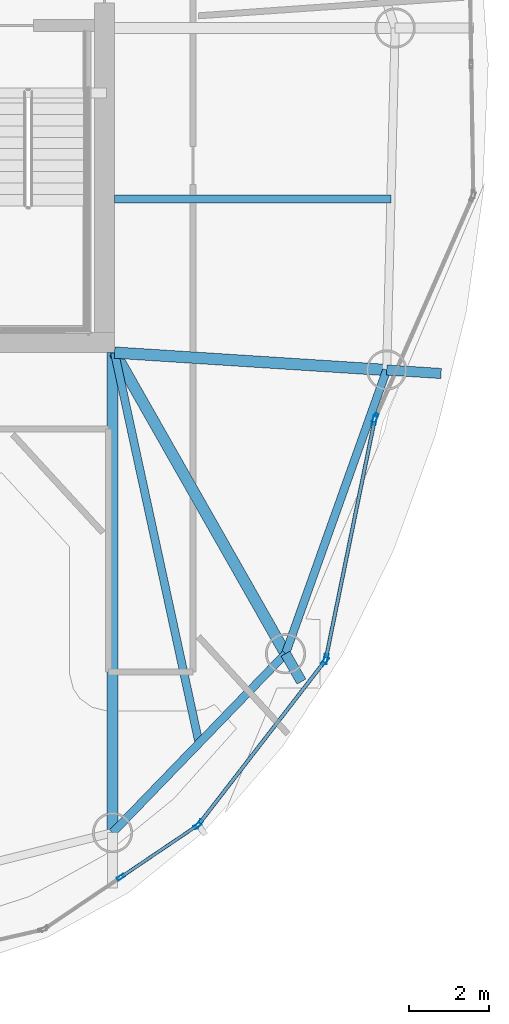
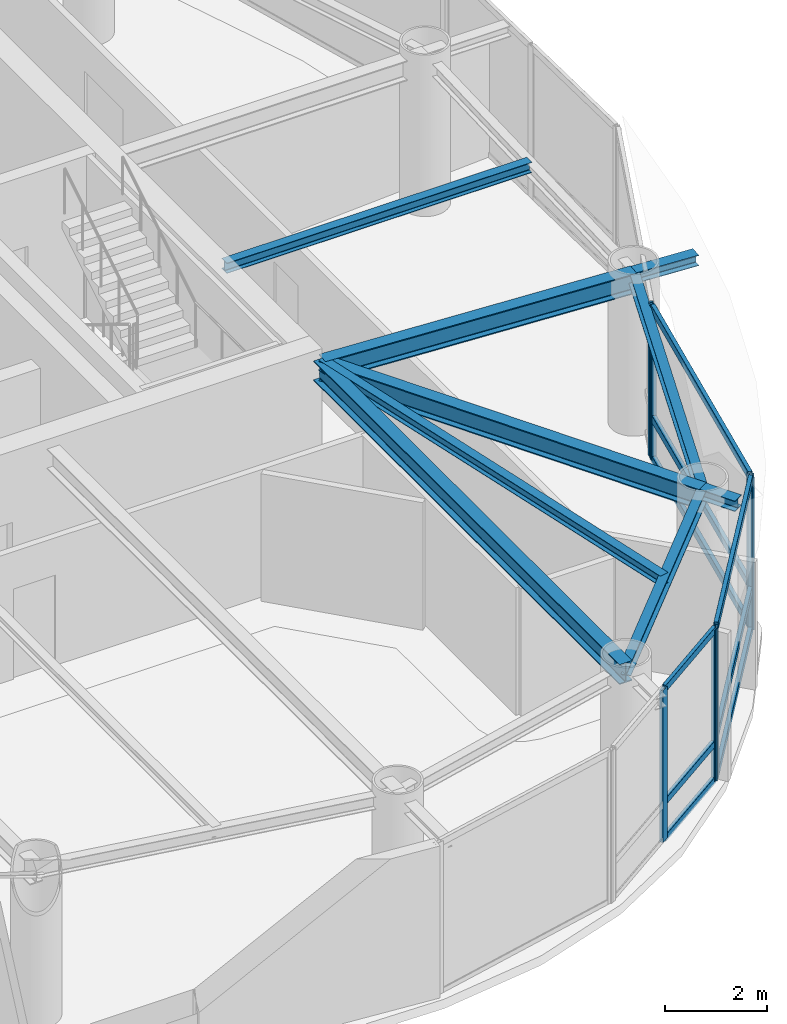
# One storey, part 7 of 19: 16 members, 9 beams, 4 elements without a shape of their own.
"""IFC4 building model written with IfcOpenShell, lengths in metres."""

from ifc_helpers import new_model, si_unit, direction, frame, origin, origin_2d, place, context, subcontext, project, spatial, hollow_rectangle, i_section, extrude, material, layer, layer_set, material_profile, profile_set, type_object, element, aggregate, save


model = new_model("IFC4")

# Units and contexts
model_context = context("Model", 3, precision=1e-05, world=origin(), true_north=direction((0.0, 1.0)))
body_context = subcontext(model_context, "Body", "Model", "MODEL_VIEW")
ifc_project = project(units=[si_unit("LENGTHUNIT", "METRE"), si_unit("AREAUNIT", "SQUARE_METRE"), si_unit("VOLUMEUNIT", "CUBIC_METRE"), si_unit("PLANEANGLEUNIT", "RADIAN"), si_unit("MASSUNIT", "GRAM", prefix="KILO")], contexts=[model_context])

# Site, building, storey
site_placement = place(None, origin())
site = spatial("IfcSite", under=ifc_project, at=site_placement, CompositionType="ELEMENT")
building_placement = place(site_placement, origin())
building = spatial("IfcBuilding", under=site, at=building_placement, Name="Bramvorn Convention Spire", CompositionType="ELEMENT")
storey_placement = place(building_placement, frame((0.0, 0.0, 299.800048828125)))
storey = spatial("IfcBuildingStorey", under=building, at=storey_placement, Name="L76", CompositionType="ELEMENT", Elevation=299.800048828125)

# Beams
ifc_material_1 = material(Name="Steel CSA G40.21 Grade 350 (350W)", Category="steel")
ifc_material_profile_1 = material_profile(ifc_material_1, i_section(OverallWidth=0.201904296875, OverallDepth=0.2470703125, WebThickness=0.00732421875, FlangeThickness=0.010986328125, FilletRadius=0.011962890625, at=origin_2d()))
ifc_profile_set_1 = profile_set([ifc_material_profile_1], Name="Steel CSA G40.21 Grade 350 (350W) - W250X49")
beam_type_1 = type_object("IfcBeamType", Name="BM-W250X49", PredefinedType="JOIST", material=ifc_profile_set_1)
beam_1_placement = place(storey_placement, frame((49.25, 18.550048828125, 3.50146484375), z_axis=(0.211461445939, -0.977386339623, 0.0), x_axis=(0.977386339623, 0.211461445939, 0.0)))
element("IfcBeam", 1, at=beam_1_placement, inside=storey, type_object=beam_type_1, Name="L76 composite floor joist 01", PredefinedType="JOIST", context=body_context, shape_type="SweptSolid", body=[
    extrude(i_section(OverallWidth=0.201904296875, OverallDepth=0.2470703125, WebThickness=0.00732421875, FlangeThickness=0.010986328125, FilletRadius=0.011962890625, at=origin_2d()), origin(), (0.0, 0.0, 1.0), 9.9462890625),
])
beam_2_placement = place(storey_placement, frame((49.25, 22.373046875, 3.50146484375), z_axis=(1.0, 0.0, 0.0), x_axis=(0.0, 1.0, 0.0)))
element("IfcBeam", 2, at=beam_2_placement, inside=storey, type_object=beam_type_1, Name="L76 composite floor joist 03", PredefinedType="JOIST", context=body_context, shape_type="SweptSolid", body=[
    extrude(i_section(OverallWidth=0.201904296875, OverallDepth=0.2470703125, WebThickness=0.00732421875, FlangeThickness=0.010986328125, FilletRadius=0.011962890625, at=origin_2d()), origin(), (0.0, 0.0, 1.0), 6.879150390625),
])
ifc_material_profile_2 = material_profile(ifc_material_1, i_section(OverallWidth=0.25390625, OverallDepth=0.2529296875, WebThickness=0.008544921875, FlangeThickness=0.01416015625, FilletRadius=0.011962890625, at=origin_2d()))
ifc_profile_set_2 = profile_set([ifc_material_profile_2], Name="Steel CSA G40.21 Grade 350 (350W) - W250X73")
beam_type_2 = type_object("IfcBeamType", Name="BM-W250X73", PredefinedType="BEAM", material=ifc_profile_set_2)
beam_3_placement = place(storey_placement, frame((53.50634765625, 11.05615234375, 3.49853515625), z_axis=(0.494067079829, -0.869423786556, 0.0), x_axis=(0.869423786556, 0.494067079829, 0.0)))
element("IfcBeam", 3, at=beam_3_placement, inside=storey, type_object=beam_type_2, Name="L76 slab-edge cantilever tip beam MC02", PredefinedType="BEAM", context=body_context, shape_type="SweptSolid", body=[
    extrude(i_section(OverallWidth=0.25390625, OverallDepth=0.2529296875, WebThickness=0.008544921875, FlangeThickness=0.01416015625, FilletRadius=0.011962890625, at=origin_2d()), origin(), (0.0, 0.0, 1.0), 0.800048828125),
])
beam_4_placement = place(storey_placement, frame((56.023681640625, 18.116455078125, 3.49853515625), z_axis=(0.997955423147, -0.06391379672, 0.0), x_axis=(0.06391379672, 0.997955423147, 0.0)))
element("IfcBeam", 4, at=beam_4_placement, inside=storey, type_object=beam_type_2, Name="L76 slab-edge cantilever tip beam MC03", PredefinedType="BEAM", context=body_context, shape_type="SweptSolid", body=[
    extrude(i_section(OverallWidth=0.25390625, OverallDepth=0.2529296875, WebThickness=0.008544921875, FlangeThickness=0.01416015625, FilletRadius=0.011962890625, at=origin_2d()), origin(), (0.0, 0.0, 1.0), 1.35595703125),
])
ifc_material_profile_3 = material_profile(ifc_material_1, i_section(OverallWidth=0.202880859375, OverallDepth=0.302978515625, WebThickness=0.007568359375, FlangeThickness=0.01318359375, FilletRadius=0.013916015625, at=origin_2d()))
ifc_profile_set_3 = profile_set([ifc_material_profile_3], Name="Steel CSA G40.21 Grade 350 (350W) - W310X60")
beam_type_3 = type_object("IfcBeamType", Name="BM-W310X60", PredefinedType="JOIST", material=ifc_profile_set_3)
beam_5_placement = place(storey_placement, frame((49.199951171875, 6.60107421875, 3.473388671875), z_axis=(0.695007159797, 0.719002814898, 0.0), x_axis=(-0.719002814898, 0.695007159797, 0.0)))
element("IfcBeam", 5, at=beam_5_placement, inside=storey, type_object=beam_type_3, Name="L76 mega-column ring beam 01", PredefinedType="JOIST", context=body_context, shape_type="SweptSolid", body=[
    extrude(i_section(OverallWidth=0.202880859375, OverallDepth=0.302978515625, WebThickness=0.007568359375, FlangeThickness=0.01318359375, FilletRadius=0.013916015625, at=origin_2d()), origin(), (0.0, 0.0, 1.0), 6.1962890625),
])
beam_6_placement = place(storey_placement, frame((53.50634765625, 11.05615234375, 3.473388671875), z_axis=(0.335839090413, 0.941919373063, 0.0), x_axis=(-0.941919373063, 0.335839090413, 0.0)))
element("IfcBeam", 6, at=beam_6_placement, inside=storey, type_object=beam_type_3, Name="L76 mega-column ring beam 02", PredefinedType="JOIST", context=body_context, shape_type="SweptSolid", body=[
    extrude(i_section(OverallWidth=0.202880859375, OverallDepth=0.302978515625, WebThickness=0.007568359375, FlangeThickness=0.01318359375, FilletRadius=0.013916015625, at=origin_2d()), origin(), (0.0, 0.0, 1.0), 7.49560546875),
])
ifc_material_profile_4 = material_profile(ifc_material_1, i_section(OverallWidth=0.283935546875, OverallDepth=0.47607421875, WebThickness=0.014892578125, FlangeThickness=0.02392578125, FilletRadius=0.01806640625, at=origin_2d()))
ifc_profile_set_4 = profile_set([ifc_material_profile_4], Name="Steel CSA G40.21 Grade 350 (350W) - W460X158")
beam_type_4 = type_object("IfcBeamType", Name="BM-W460X158", PredefinedType="SPANDREL", material=ifc_profile_set_4)
beam_7_placement = place(storey_placement, frame((49.199951171875, 18.550048828125, 3.386962890625), z_axis=(0.0, -1.0, 0.0), x_axis=(1.0, 0.0, 0.0)))
element("IfcBeam", 7, at=beam_7_placement, inside=storey, type_object=beam_type_4, Name="L76 radial floor girder MC01", PredefinedType="SPANDREL", context=body_context, shape_type="SweptSolid", body=[
    extrude(i_section(OverallWidth=0.283935546875, OverallDepth=0.47607421875, WebThickness=0.014892578125, FlangeThickness=0.02392578125, FilletRadius=0.01806640625, at=origin_2d()), origin(), (0.0, 0.0, 1.0), 11.948974609375),
])
beam_8_placement = place(storey_placement, frame((49.25, 18.550048828125, 3.386962890625), z_axis=(0.493873612118, -0.869533699895, 0.0), x_axis=(0.869533699895, 0.493873612118, 0.0)))
element("IfcBeam", 8, at=beam_8_placement, inside=storey, type_object=beam_type_4, Name="L76 radial floor girder MC02", PredefinedType="SPANDREL", context=body_context, shape_type="SweptSolid", body=[
    extrude(i_section(OverallWidth=0.283935546875, OverallDepth=0.47607421875, WebThickness=0.014892578125, FlangeThickness=0.02392578125, FilletRadius=0.01806640625, at=origin_2d()), origin(), (0.0, 0.0, 1.0), 8.618408203125),
])
beam_9_placement = place(storey_placement, frame((49.25, 18.550048828125, 3.386962890625), z_axis=(0.997957536354, -0.063880792379, 0.0), x_axis=(0.063880792379, 0.997957536354, 0.0)))
element("IfcBeam", 9, at=beam_9_placement, inside=storey, type_object=beam_type_4, Name="L76 radial floor girder MC03", PredefinedType="SPANDREL", context=body_context, shape_type="SweptSolid", body=[
    extrude(i_section(OverallWidth=0.283935546875, OverallDepth=0.47607421875, WebThickness=0.014892578125, FlangeThickness=0.02392578125, FilletRadius=0.01806640625, at=origin_2d()), origin(), (0.0, 0.0, 1.0), 6.78759765625),
])

# Curtain wall, members
ifc_material_2 = material(Name="Anodised Bronze Unitised Curtain Wall", Category="aluminium")
ifc_layer_1 = layer(ifc_material_2, 0.179931640625)
ifc_layer_set_1 = layer_set([ifc_layer_1], Name="Anodised Bronze Unitised Curtain Wall - CW-OFF-FRIT")
curtain_wall_type_1 = type_object("IfcCurtainWallType", Name="CW-OFF-FRIT", PredefinedType="USERDEFINED", material=ifc_layer_set_1)
curtain_wall_1_placement = place(storey_placement, origin())
curtain_wall_1 = element("IfcCurtainWall", 10, at=curtain_wall_1_placement, inside=storey, type_object=curtain_wall_type_1, Name="L76 fritted glass curtain wall 01", ObjectType="UNITISED CURTAIN WALL", PredefinedType="USERDEFINED")
ifc_material_3 = material(Name="Anodised Bronze Aluminium 6063-T6", Category="aluminium")
ifc_material_profile_5 = material_profile(ifc_material_3, hollow_rectangle(XDim=0.080078125, YDim=0.199951171875, WallThickness=0.00390625, InnerFilletRadius=0.0009765625, OuterFilletRadius=0.00390625, at=origin_2d()))
ifc_profile_set_5 = profile_set([ifc_material_profile_5], Name="Anodised Bronze Aluminium 6063-T6 - CWM80X200")
member_type_1 = type_object("IfcMemberType", Name="CW-MUL-180", PredefinedType="MULLION", material=ifc_profile_set_5)
member_1_placement = place(storey_placement, frame((51.310791015625, 6.779296875, 0.0), z_axis=(0.0, 0.0, 1.0), x_axis=(0.559864992179, -0.828583846411, 0.0)))
member_1 = element("IfcMember", 11, at=member_1_placement, type_object=member_type_1, Name="CW3 mullion 1", PredefinedType="MULLION", context=body_context, shape_type="SweptSolid", body=[
    extrude(hollow_rectangle(XDim=0.080078125, YDim=0.199951171875, WallThickness=0.00390625, InnerFilletRadius=0.0009765625, OuterFilletRadius=0.00390625, at=origin_2d()), origin(), (0.0, 0.0, 1.0), 3.625),
])
member_2_placement = place(storey_placement, frame((49.408935546875, 5.494140625, 0.0), z_axis=(0.0, 0.0, 1.0), x_axis=(0.559864992179, -0.828583846411, 0.0)))
member_2 = element("IfcMember", 12, at=member_2_placement, type_object=member_type_1, Name="CW3 mullion 2", PredefinedType="MULLION", context=body_context, shape_type="SweptSolid", body=[
    extrude(hollow_rectangle(XDim=0.080078125, YDim=0.199951171875, WallThickness=0.00390625, InnerFilletRadius=0.0009765625, OuterFilletRadius=0.00390625, at=origin_2d()), origin(), (0.0, 0.0, 1.0), 3.625),
])

ifc_layer_2 = layer(ifc_material_2, 0.219970703125)
ifc_layer_set_2 = layer_set([ifc_layer_2], Name="Anodised Bronze Unitised Curtain Wall - CW-SKYGARDEN")
curtain_wall_type_2 = type_object("IfcCurtainWallType", Name="CW-SKYGARDEN", PredefinedType="USERDEFINED", material=ifc_layer_set_2)
curtain_wall_2_placement = place(storey_placement, origin())
curtain_wall_2 = element("IfcCurtainWall", 13, at=curtain_wall_2_placement, inside=storey, type_object=curtain_wall_type_2, Name="L76 Sky Garden glazed facade 02", ObjectType="WINTER GARDEN GLAZING", PredefinedType="USERDEFINED")
ifc_material_profile_6 = material_profile(ifc_material_3, hollow_rectangle(XDim=0.090087890625, YDim=0.239990234375, WallThickness=0.00439453125, InnerFilletRadius=0.0009765625, OuterFilletRadius=0.00439453125, at=origin_2d()))
ifc_profile_set_6 = profile_set([ifc_material_profile_6], Name="Anodised Bronze Aluminium 6063-T6 - CWM90X240")
member_type_2 = type_object("IfcMemberType", Name="CW-MUL-220", PredefinedType="MULLION", material=ifc_profile_set_6)
member_3_placement = place(storey_placement, frame((54.484130859375, 10.870361328125, 0.0), z_axis=(0.0, 0.0, 1.0), x_axis=(0.791284152139, -0.611448600108, 0.0)))
member_3 = element("IfcMember", 14, at=member_3_placement, type_object=member_type_2, Name="CW4 mullion 1", PredefinedType="MULLION", context=body_context, shape_type="SweptSolid", body=[
    extrude(hollow_rectangle(XDim=0.090087890625, YDim=0.239990234375, WallThickness=0.00439453125, InnerFilletRadius=0.0009765625, OuterFilletRadius=0.00439453125, at=origin_2d()), origin(), (0.0, 0.0, 1.0), 3.625),
])
member_4_placement = place(storey_placement, frame((51.35400390625, 6.81982421875, 0.0), z_axis=(0.0, 0.0, 1.0), x_axis=(0.791284152139, -0.611448600108, 0.0)))
member_4 = element("IfcMember", 15, at=member_4_placement, type_object=member_type_2, Name="CW4 mullion 2", PredefinedType="MULLION", context=body_context, shape_type="SweptSolid", body=[
    extrude(hollow_rectangle(XDim=0.090087890625, YDim=0.239990234375, WallThickness=0.00439453125, InnerFilletRadius=0.0009765625, OuterFilletRadius=0.00439453125, at=origin_2d()), origin(), (0.0, 0.0, 1.0), 3.625),
])

curtain_wall_3_placement = place(storey_placement, origin())
curtain_wall_3 = element("IfcCurtainWall", 16, at=curtain_wall_3_placement, inside=storey, type_object=curtain_wall_type_2, Name="L76 Sky Garden glazed facade 03", ObjectType="WINTER GARDEN GLAZING", PredefinedType="USERDEFINED")
member_5_placement = place(storey_placement, frame((55.72216796875, 16.86572265625, 0.0), z_axis=(0.0, 0.0, 1.0), x_axis=(0.979774409816, -0.200105236988, 0.0)))
member_5 = element("IfcMember", 17, at=member_5_placement, type_object=member_type_2, Name="CW4 mullion 1", PredefinedType="MULLION", context=body_context, shape_type="SweptSolid", body=[
    extrude(hollow_rectangle(XDim=0.090087890625, YDim=0.239990234375, WallThickness=0.00439453125, InnerFilletRadius=0.0009765625, OuterFilletRadius=0.00439453125, at=origin_2d()), origin(), (0.0, 0.0, 1.0), 3.625),
])
member_6_placement = place(storey_placement, frame((54.508544921875, 10.923583984375, 0.0), z_axis=(0.0, 0.0, 1.0), x_axis=(0.979774409816, -0.200105236988, 0.0)))
member_6 = element("IfcMember", 18, at=member_6_placement, type_object=member_type_2, Name="CW4 mullion 2", PredefinedType="MULLION", context=body_context, shape_type="SweptSolid", body=[
    extrude(hollow_rectangle(XDim=0.090087890625, YDim=0.239990234375, WallThickness=0.00439453125, InnerFilletRadius=0.0009765625, OuterFilletRadius=0.00439453125, at=origin_2d()), origin(), (0.0, 0.0, 1.0), 3.625),
])

# Curtain wall, member
curtain_wall_4_placement = place(storey_placement, origin())
curtain_wall_4 = element("IfcCurtainWall", 19, at=curtain_wall_4_placement, inside=storey, type_object=curtain_wall_type_2, Name="L76 Sky Garden glazed facade 04", ObjectType="WINTER GARDEN GLAZING", PredefinedType="USERDEFINED")
member_7_placement = place(storey_placement, frame((55.740234375, 16.922607421875, 0.0), z_axis=(0.0, 0.0, 1.0), x_axis=(0.915268486998, -0.402844382744, 0.0)))
member_7 = element("IfcMember", 20, at=member_7_placement, type_object=member_type_2, Name="CW4 mullion 2", PredefinedType="MULLION", context=body_context, shape_type="SweptSolid", body=[
    extrude(hollow_rectangle(XDim=0.090087890625, YDim=0.239990234375, WallThickness=0.00439453125, InnerFilletRadius=0.0009765625, OuterFilletRadius=0.00439453125, at=origin_2d()), origin(), (0.0, 0.0, 1.0), 3.625),
])
aggregate(curtain_wall_4, [member_7])

# Member
ifc_material_profile_7 = material_profile(ifc_material_3, hollow_rectangle(XDim=0.080078125, YDim=0.159912109375, WallThickness=0.00390625, InnerFilletRadius=0.0009765625, OuterFilletRadius=0.00390625, at=origin_2d()))
ifc_profile_set_7 = profile_set([ifc_material_profile_7], Name="Anodised Bronze Aluminium 6063-T6 - CWT80X160")
member_type_3 = type_object("IfcMemberType", Name="CW-TRN-150", PredefinedType="USERDEFINED", material=ifc_profile_set_7)
member_8_placement = place(storey_placement, frame((51.285888671875, 6.762451171875, 0.030029296875), z_axis=(-0.82857253545, -0.559881731706, 0.0), x_axis=(0.559881731706, -0.82857253545, 0.0)))
member_8 = element("IfcMember", 21, at=member_8_placement, type_object=member_type_3, Name="CW3 transom 1.1", ObjectType="TRANSOM", PredefinedType="USERDEFINED", context=body_context, shape_type="SweptSolid", body=[
    extrude(hollow_rectangle(XDim=0.080078125, YDim=0.159912109375, WallThickness=0.00390625, InnerFilletRadius=0.0009765625, OuterFilletRadius=0.00390625, at=origin_2d()), origin(), (0.0, 0.0, 1.0), 2.2353515625),
])

member_9_placement = place(storey_placement, frame((51.285888671875, 6.762451171875, 0.89990234375), z_axis=(-0.82857253545, -0.559881731706, 0.0), x_axis=(0.559881731706, -0.82857253545, 0.0)))
member_9 = element("IfcMember", 22, at=member_9_placement, type_object=member_type_3, Name="CW3 transom 1.2", ObjectType="TRANSOM", PredefinedType="USERDEFINED", context=body_context, shape_type="SweptSolid", body=[
    extrude(hollow_rectangle(XDim=0.080078125, YDim=0.159912109375, WallThickness=0.00390625, InnerFilletRadius=0.0009765625, OuterFilletRadius=0.00390625, at=origin_2d()), origin(), (0.0, 0.0, 1.0), 2.2353515625),
])

member_10_placement = place(storey_placement, frame((51.285888671875, 6.762451171875, 3.594970703125), z_axis=(-0.82857253545, -0.559881731706, 0.0), x_axis=(0.559881731706, -0.82857253545, 0.0)))
member_10 = element("IfcMember", 23, at=member_10_placement, type_object=member_type_3, Name="CW3 transom 1.3", ObjectType="TRANSOM", PredefinedType="USERDEFINED", context=body_context, shape_type="SweptSolid", body=[
    extrude(hollow_rectangle(XDim=0.080078125, YDim=0.159912109375, WallThickness=0.00390625, InnerFilletRadius=0.0009765625, OuterFilletRadius=0.00390625, at=origin_2d()), origin(), (0.0, 0.0, 1.0), 2.2353515625),
])

aggregate(curtain_wall_1, [member_1, member_2, member_8, member_9, member_10])

ifc_material_profile_8 = material_profile(ifc_material_3, hollow_rectangle(XDim=0.090087890625, YDim=0.179931640625, WallThickness=0.00439453125, InnerFilletRadius=0.0009765625, OuterFilletRadius=0.00439453125, at=origin_2d()))
ifc_profile_set_8 = profile_set([ifc_material_profile_8], Name="Anodised Bronze Aluminium 6063-T6 - CWT90X180")
member_type_4 = type_object("IfcMemberType", Name="CW-TRN-180", PredefinedType="USERDEFINED", material=ifc_profile_set_8)
member_11_placement = place(storey_placement, frame((54.4658203125, 10.8466796875, 0.030029296875), z_axis=(-0.611465355412, -0.791271204538, 0.0), x_axis=(0.791271204538, -0.611465355412, 0.0)))
member_11 = element("IfcMember", 24, at=member_11_placement, type_object=member_type_4, Name="CW4 transom 1.1", ObjectType="TRANSOM", PredefinedType="USERDEFINED", context=body_context, shape_type="SweptSolid", body=[
    extrude(hollow_rectangle(XDim=0.090087890625, YDim=0.179931640625, WallThickness=0.00439453125, InnerFilletRadius=0.0009765625, OuterFilletRadius=0.00439453125, at=origin_2d()), origin(), (0.0, 0.0, 1.0), 5.05908203125),
])

member_12_placement = place(storey_placement, frame((54.4658203125, 10.8466796875, 1.0), z_axis=(-0.611465355412, -0.791271204538, 0.0), x_axis=(0.791271204538, -0.611465355412, 0.0)))
member_12 = element("IfcMember", 25, at=member_12_placement, type_object=member_type_4, Name="CW4 transom 1.2", ObjectType="TRANSOM", PredefinedType="USERDEFINED", context=body_context, shape_type="SweptSolid", body=[
    extrude(hollow_rectangle(XDim=0.090087890625, YDim=0.179931640625, WallThickness=0.00439453125, InnerFilletRadius=0.0009765625, OuterFilletRadius=0.00439453125, at=origin_2d()), origin(), (0.0, 0.0, 1.0), 5.05908203125),
])

member_13_placement = place(storey_placement, frame((54.4658203125, 10.8466796875, 3.594970703125), z_axis=(-0.611465355412, -0.791271204538, 0.0), x_axis=(0.791271204538, -0.611465355412, 0.0)))
member_13 = element("IfcMember", 26, at=member_13_placement, type_object=member_type_4, Name="CW4 transom 1.3", ObjectType="TRANSOM", PredefinedType="USERDEFINED", context=body_context, shape_type="SweptSolid", body=[
    extrude(hollow_rectangle(XDim=0.090087890625, YDim=0.179931640625, WallThickness=0.00439453125, InnerFilletRadius=0.0009765625, OuterFilletRadius=0.00439453125, at=origin_2d()), origin(), (0.0, 0.0, 1.0), 5.05908203125),
])

aggregate(curtain_wall_2, [member_3, member_4, member_11, member_12, member_13])

member_14_placement = place(storey_placement, frame((55.716064453125, 16.83642578125, 0.030029296875), z_axis=(-0.200109759684, -0.979773486108, 0.0), x_axis=(0.979773486108, -0.200109759684, 0.0)))
member_14 = element("IfcMember", 27, at=member_14_placement, type_object=member_type_4, Name="CW4 transom 1.1", ObjectType="TRANSOM", PredefinedType="USERDEFINED", context=body_context, shape_type="SweptSolid", body=[
    extrude(hollow_rectangle(XDim=0.090087890625, YDim=0.179931640625, WallThickness=0.00439453125, InnerFilletRadius=0.0009765625, OuterFilletRadius=0.00439453125, at=origin_2d()), origin(), (0.0, 0.0, 1.0), 6.005126953125),
])

member_15_placement = place(storey_placement, frame((55.716064453125, 16.83642578125, 1.0), z_axis=(-0.200109759684, -0.979773486108, 0.0), x_axis=(0.979773486108, -0.200109759684, 0.0)))
member_15 = element("IfcMember", 28, at=member_15_placement, type_object=member_type_4, Name="CW4 transom 1.2", ObjectType="TRANSOM", PredefinedType="USERDEFINED", context=body_context, shape_type="SweptSolid", body=[
    extrude(hollow_rectangle(XDim=0.090087890625, YDim=0.179931640625, WallThickness=0.00439453125, InnerFilletRadius=0.0009765625, OuterFilletRadius=0.00439453125, at=origin_2d()), origin(), (0.0, 0.0, 1.0), 6.005126953125),
])

member_16_placement = place(storey_placement, frame((55.716064453125, 16.83642578125, 3.594970703125), z_axis=(-0.200109759684, -0.979773486108, 0.0), x_axis=(0.979773486108, -0.200109759684, 0.0)))
member_16 = element("IfcMember", 29, at=member_16_placement, type_object=member_type_4, Name="CW4 transom 1.3", ObjectType="TRANSOM", PredefinedType="USERDEFINED", context=body_context, shape_type="SweptSolid", body=[
    extrude(hollow_rectangle(XDim=0.090087890625, YDim=0.179931640625, WallThickness=0.00439453125, InnerFilletRadius=0.0009765625, OuterFilletRadius=0.00439453125, at=origin_2d()), origin(), (0.0, 0.0, 1.0), 6.005126953125),
])

aggregate(curtain_wall_3, [member_5, member_6, member_14, member_15, member_16])

save(model, "model.ifc")
